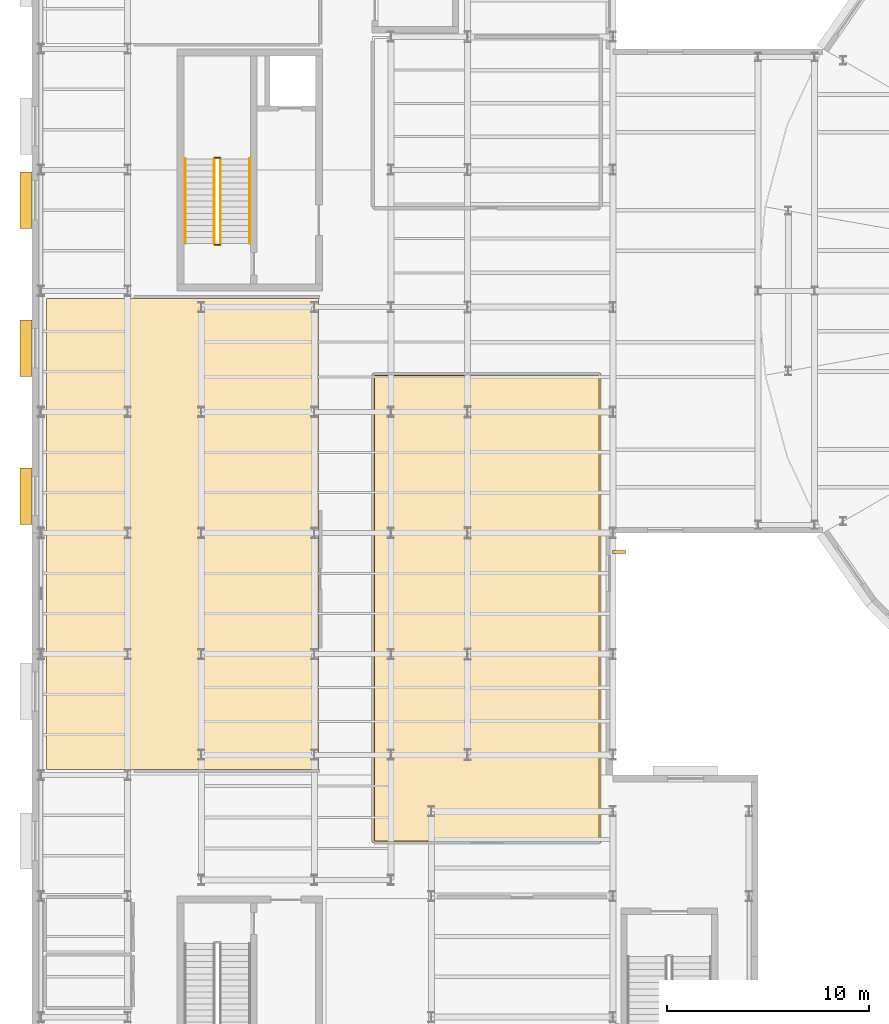
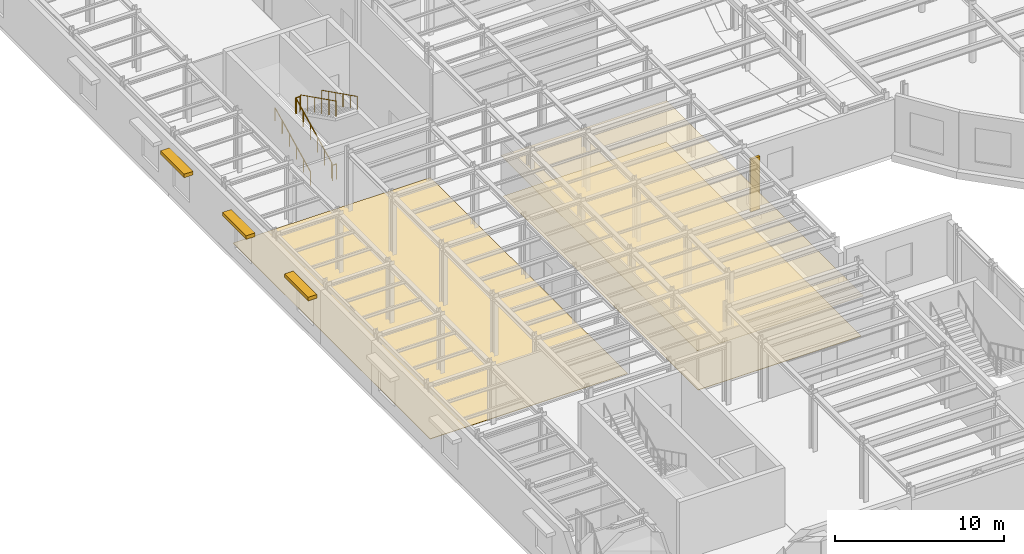
# One storey, part 76 of 91: 6 railings, 4 shading devices, 3 coverings, 1 element without a shape of its own.
"""IFC4 building model written with IfcOpenShell, lengths in metres."""

from ifc_helpers import new_model, si_unit, direction, frame, origin, origin_2d, place, context, subcontext, project, spatial, polyline, rectangle, circle, outline, extrude, material, layer, layer_set, type_object, element, aggregate, save


model = new_model("IFC4")

# Units and contexts
model_context = context("Model", 3, precision=1e-05, world=origin(), true_north=direction((0.0, 1.0)))
body_context = subcontext(model_context, "Body", "Model", "MODEL_VIEW")
ifc_project = project(units=[si_unit("LENGTHUNIT", "METRE"), si_unit("AREAUNIT", "SQUARE_METRE"), si_unit("VOLUMEUNIT", "CUBIC_METRE"), si_unit("PLANEANGLEUNIT", "RADIAN"), si_unit("MASSUNIT", "GRAM", prefix="KILO")], contexts=[model_context])

# Site, building, storey
site_placement = place(None, origin())
site = spatial("IfcSite", under=ifc_project, at=site_placement, CompositionType="ELEMENT")
building_placement = place(site_placement, origin())
building = spatial("IfcBuilding", under=site, at=building_placement, Name="Kolvaren Corner Interchange", CompositionType="ELEMENT")
storey_placement = place(building_placement, frame((0.0, 0.0, 6.0)))
storey = spatial("IfcBuildingStorey", under=building, at=storey_placement, Name="L02", CompositionType="ELEMENT", Elevation=6.0)

# Coverings
ifc_material_1 = material(Name="Moisture-Resistant Perforated Gypsum Ceiling")
ifc_layer_1 = layer(ifc_material_1, 0.028076171875)
ifc_layer_set_1 = layer_set([ifc_layer_1], Name="Moisture-Resistant Perforated Gypsum Ceiling")
covering_type_1 = type_object("IfcCoveringType", Name="COV-CEIL-GYP28", PredefinedType="CEILING", material=ifc_layer_set_1)
covering_1_placement = place(storey_placement, frame((0.0, 0.0, 2.922119140625)))
element("IfcCovering", 1, at=covering_1_placement, inside=storey, type_object=covering_type_1, Name="L02 Staff Canteen and Dining Hall Suspended Ceiling", PredefinedType="CEILING", context=body_context, shape_type="SweptSolid", body=[
    extrude(outline(polyline([(16.8798828125, 20.64990234375), (28.217529296875, 20.640625), (28.20947265625, 43.91748046875), (16.88232421875, 43.909423828125), (16.8798828125, 20.64990234375)])), origin(), (0.0, 0.0, 1.0), 0.02783203125),
])
ifc_material_2 = material(Name="Polished Niger Delta Granite Terrazzo Flooring", Category="masonry")
ifc_layer_2 = layer(ifc_material_2, 0.030029296875)
ifc_layer_set_2 = layer_set([ifc_layer_2], Name="Polished Niger Delta Granite Terrazzo Flooring")
covering_type_2 = type_object("IfcCoveringType", Name="COV-FLR-TER30", PredefinedType="FLOORING", material=ifc_layer_set_2)
covering_2_placement = place(storey_placement, origin())
element("IfcCovering", 2, at=covering_2_placement, inside=storey, type_object=covering_type_2, Name="L02 Staff Canteen and Dining Hall Floor Finish", PredefinedType="FLOORING", context=body_context, shape_type="SweptSolid", body=[
    extrude(outline(polyline([(16.97998046875, 20.72998046875), (28.1201171875, 20.72998046875), (28.1201171875, 43.820068359375), (16.97998046875, 43.820068359375), (16.97998046875, 20.72998046875)])), origin(), (0.0, 0.0, 1.0), 0.030029296875),
])
covering_3_placement = place(storey_placement, origin())
element("IfcCovering", 3, at=covering_3_placement, inside=storey, type_object=covering_type_2, Name="L02 Driver Quiet Rest Suites Floor Finish", PredefinedType="FLOORING", context=body_context, shape_type="SweptSolid", body=[
    extrude(outline(polyline([(0.72998046875, 24.280029296875), (14.219970703125, 24.280029296875), (14.219970703125, 47.6201171875), (0.72998046875, 47.6201171875), (0.72998046875, 24.280029296875)])), origin(), (0.0, 0.0, 1.0), 0.030029296875),
])

# Railing
ifc_material_3 = material(Name="Powder-Coated Steel Stairwell Guardrail", Category="steel")
railing_type_1 = type_object("IfcRailingType", Name="RLT-STAIR-GRD1120", PredefinedType="GUARDRAIL", material=ifc_material_3)
railing_1_placement = place(storey_placement, frame((9.06005859375, 50.2900390625, 0.0)))
element("IfcRailing", 4, at=railing_1_placement, inside=storey, type_object=railing_type_1, Name="Core C2 Northwest Firefighting Stair L02 Landing Edge Guardrail", PredefinedType="GUARDRAIL", context=body_context, shape_type="SweptSolid", body=[
    extrude(circle(Radius=0.02392578125, at=origin_2d()), frame((0.0, 0.0, 1.09619140625), z_axis=(1.0, 0.0, 0.0), x_axis=(0.0, 1.0, 0.0)), (0.0, 0.0, 1.0), 0.280029296875),
    extrude(circle(Radius=0.02001953125, at=origin_2d()), origin(), (0.0, 0.0, 1.0), 1.072021484375),
    extrude(circle(Radius=0.02001953125, at=origin_2d()), frame((0.280029296875, 0.0, 0.0)), (0.0, 0.0, 1.0), 1.072021484375),
])

# Stair, railings
ifc_material_4 = material(Name="Concrete C35/45", Category="concrete")
stair_type = type_object("IfcStairType", Name="ST-FF-1550", PredefinedType="HALF_TURN_STAIR", material=ifc_material_4)
stair_placement = place(storey_placement, origin())
stair = element("IfcStair", 5, at=stair_placement, inside=storey, type_object=stair_type, Name="Core C2 Northwest Firefighting Stair L02 to L03 Stair", PredefinedType="HALF_TURN_STAIR")
railing_2_placement = place(storey_placement, frame((9.050048828125, 50.35009765625, 0.14990234375)))
railing_2 = element("IfcRailing", 6, at=railing_2_placement, type_object=railing_type_1, Name="Core C2 Northwest Firefighting Stair L02 Lower Flight Well Guardrail", PredefinedType="GUARDRAIL", context=body_context, shape_type="SweptSolid", body=[
    extrude(circle(Radius=0.02392578125, at=origin_2d()), frame((0.0, 0.0, 1.09619140625), z_axis=(0.0, 0.894416792377, 0.447234392142), x_axis=(-1.0, 0.0, 0.0)), (0.0, 0.0, 1.0), 4.69580078125),
    extrude(circle(Radius=0.02001953125, at=origin_2d()), origin(), (0.0, 0.0, 1.0), 1.072021484375),
    extrude(circle(Radius=0.02001953125, at=origin_2d()), frame((0.0, 0.840087890625, 0.419921875)), (0.0, 0.0, 1.0), 1.072021484375),
    extrude(circle(Radius=0.02001953125, at=origin_2d()), frame((0.0, 1.679931640625, 0.840087890625)), (0.0, 0.0, 1.0), 1.072021484375),
    extrude(circle(Radius=0.02001953125, at=origin_2d()), frame((0.0, 2.52001953125, 1.260009765625)), (0.0, 0.0, 1.0), 1.072021484375),
    extrude(circle(Radius=0.02001953125, at=origin_2d()), frame((0.0, 3.35986328125, 1.68017578125)), (0.0, 0.0, 1.0), 1.072021484375),
    extrude(circle(Radius=0.02001953125, at=origin_2d()), frame((0.0, 4.199951171875, 2.10009765625)), (0.0, 0.0, 1.0), 1.072021484375),
])
railing_3_placement = place(storey_placement, frame((9.06005859375, 54.610107421875, 2.25)))
railing_3 = element("IfcRailing", 7, at=railing_3_placement, type_object=railing_type_1, Name="Core C2 Northwest Firefighting Stair L02 Half Landing Well Guardrail", PredefinedType="GUARDRAIL", context=body_context, shape_type="SweptSolid", body=[
    extrude(circle(Radius=0.02392578125, at=origin_2d()), frame((0.0, 0.0, 1.09619140625), z_axis=(1.0, 0.0, 0.0), x_axis=(0.0, 1.0, 0.0)), (0.0, 0.0, 1.0), 0.280029296875),
    extrude(circle(Radius=0.02001953125, at=origin_2d()), origin(), (0.0, 0.0, 1.0), 1.072021484375),
    extrude(circle(Radius=0.02001953125, at=origin_2d()), frame((0.280029296875, 0.0, 0.0)), (0.0, 0.0, 1.0), 1.072021484375),
])
railing_4_placement = place(storey_placement, frame((9.35009765625, 54.550048828125, 2.39990234375)))
railing_4 = element("IfcRailing", 8, at=railing_4_placement, type_object=railing_type_1, Name="Core C2 Northwest Firefighting Stair L02 Upper Flight Well Guardrail", PredefinedType="GUARDRAIL", context=body_context, shape_type="SweptSolid", body=[
    extrude(circle(Radius=0.02392578125, at=origin_2d()), frame((0.0, 0.0, 1.09619140625), z_axis=(0.0, -0.894416792377, 0.447234392142), x_axis=(1.0, 0.0, 0.0)), (0.0, 0.0, 1.0), 4.69580078125),
    extrude(circle(Radius=0.02001953125, at=origin_2d()), origin(), (0.0, 0.0, 1.0), 1.072021484375),
    extrude(circle(Radius=0.02001953125, at=origin_2d()), frame((0.0, -0.840087890625, 0.419921875)), (0.0, 0.0, 1.0), 1.072021484375),
    extrude(circle(Radius=0.02001953125, at=origin_2d()), frame((0.0, -1.679931640625, 0.840087890625)), (0.0, 0.0, 1.0), 1.072021484375),
    extrude(circle(Radius=0.02001953125, at=origin_2d()), frame((0.0, -2.52001953125, 1.260009765625)), (0.0, 0.0, 1.0), 1.072021484375),
    extrude(circle(Radius=0.02001953125, at=origin_2d()), frame((0.0, -3.35986328125, 1.68017578125)), (0.0, 0.0, 1.0), 1.072021484375),
    extrude(circle(Radius=0.02001953125, at=origin_2d()), frame((0.0, -4.199951171875, 2.10009765625)), (0.0, 0.0, 1.0), 1.072021484375),
])
ifc_material_5 = material(Name="Brushed Stainless Steel Stair Handrail", Category="steel")
railing_type_2 = type_object("IfcRailingType", Name="RLT-STAIR-HR950", PredefinedType="HANDRAIL", material=ifc_material_5)
railing_5_placement = place(storey_placement, frame((7.610107421875, 50.35009765625, 0.14990234375)))
railing_5 = element("IfcRailing", 9, at=railing_5_placement, type_object=railing_type_2, Name="Core C2 Northwest Firefighting Stair L02 Lower Flight Wall Handrail", PredefinedType="HANDRAIL", context=body_context, shape_type="SweptSolid", body=[
    extrude(circle(Radius=0.02197265625, at=origin_2d()), frame((0.0, 0.0, 0.927978515625), z_axis=(0.0, 0.894416792377, 0.447234392142), x_axis=(-1.0, 0.0, 0.0)), (0.0, 0.0, 1.0), 4.69580078125),
    extrude(circle(Radius=0.01806640625, at=origin_2d()), origin(), (0.0, 0.0, 1.0), 0.906005859375),
    extrude(circle(Radius=0.01806640625, at=origin_2d()), frame((0.0, 0.840087890625, 0.419921875)), (0.0, 0.0, 1.0), 0.906005859375),
    extrude(circle(Radius=0.01806640625, at=origin_2d()), frame((0.0, 1.679931640625, 0.840087890625)), (0.0, 0.0, 1.0), 0.906005859375),
    extrude(circle(Radius=0.01806640625, at=origin_2d()), frame((0.0, 2.52001953125, 1.260009765625)), (0.0, 0.0, 1.0), 0.906005859375),
    extrude(circle(Radius=0.01806640625, at=origin_2d()), frame((0.0, 3.35986328125, 1.68017578125)), (0.0, 0.0, 1.0), 0.906005859375),
    extrude(circle(Radius=0.01806640625, at=origin_2d()), frame((0.0, 4.199951171875, 2.10009765625)), (0.0, 0.0, 1.0), 0.906005859375),
])
railing_6_placement = place(storey_placement, frame((10.7900390625, 54.550048828125, 2.39990234375)))
railing_6 = element("IfcRailing", 10, at=railing_6_placement, type_object=railing_type_2, Name="Core C2 Northwest Firefighting Stair L02 Upper Flight Wall Handrail", PredefinedType="HANDRAIL", context=body_context, shape_type="SweptSolid", body=[
    extrude(circle(Radius=0.02197265625, at=origin_2d()), frame((0.0, 0.0, 0.927978515625), z_axis=(0.0, -0.894416792377, 0.447234392142), x_axis=(1.0, 0.0, 0.0)), (0.0, 0.0, 1.0), 4.69580078125),
    extrude(circle(Radius=0.01806640625, at=origin_2d()), origin(), (0.0, 0.0, 1.0), 0.906005859375),
    extrude(circle(Radius=0.01806640625, at=origin_2d()), frame((0.0, -0.840087890625, 0.419921875)), (0.0, 0.0, 1.0), 0.906005859375),
    extrude(circle(Radius=0.01806640625, at=origin_2d()), frame((0.0, -1.679931640625, 0.840087890625)), (0.0, 0.0, 1.0), 0.906005859375),
    extrude(circle(Radius=0.01806640625, at=origin_2d()), frame((0.0, -2.52001953125, 1.260009765625)), (0.0, 0.0, 1.0), 0.906005859375),
    extrude(circle(Radius=0.01806640625, at=origin_2d()), frame((0.0, -3.35986328125, 1.68017578125)), (0.0, 0.0, 1.0), 0.906005859375),
    extrude(circle(Radius=0.01806640625, at=origin_2d()), frame((0.0, -4.199951171875, 2.10009765625)), (0.0, 0.0, 1.0), 0.906005859375),
])
aggregate(stair, [railing_2, railing_3, railing_4, railing_5, railing_6])

# Shading devices
ifc_material_6 = material(Name="Cream Ceramic Baguette Brise-Soleil")
shading_device_type_1 = type_object("IfcShadingDeviceType", Name="SHD-BAG-H600", PredefinedType="JALOUSIE", material=ifc_material_6)
for number, where, z_axis, x_axis, name in (
    (11, (-0.2900390625, 52.497802734375, 3.080078125), (0.0, 0.0, 1.0), (0.0, -1.0, 0.0), "L02 Ceramic Solar Shading 0050"),
    (12, (-0.2900390625, 45.165283203125, 3.080078125), (0.0, 0.0, 1.0), (0.0, -1.0, 0.0), "L02 Ceramic Solar Shading 0051"),
    (13, (-0.2900390625, 37.8330078125, 3.080078125), (0.0, 0.0, 1.0), (0.0, -1.0, 0.0), "L02 Ceramic Solar Shading 0052"),
):
    element("IfcShadingDevice", number, at=place(storey_placement, frame(where, z_axis=z_axis, x_axis=x_axis)), inside=storey, type_object=shading_device_type_1, Name=name, PredefinedType="JALOUSIE", context=body_context, shape_type="SweptSolid", body=[
        extrude(rectangle(XDim=2.800048828125, YDim=0.60009765625, at=origin_2d()), origin(), (0.0, 0.0, 1.0), 0.260009765625),
    ])
ifc_material_7 = material(Name="Deep Monsoon Terracotta Solar Fin", Category="masonry")
shading_device_type_2 = type_object("IfcShadingDeviceType", Name="SHD-FIN-V650", PredefinedType="USERDEFINED", material=ifc_material_7)
shading_device_placement = place(storey_placement, frame((29.114990234375, 35.06005859375, 0.09521484375), z_axis=(0.0, 0.0, 1.0), x_axis=(0.0, 1.0, 0.0)))
element("IfcShadingDevice", 14, at=shading_device_placement, inside=storey, type_object=shading_device_type_2, Name="L02 Ceramic Solar Shading 0036", ObjectType="SUNSHADE", PredefinedType="USERDEFINED", context=body_context, shape_type="SweptSolid", body=[
    extrude(rectangle(XDim=0.159912109375, YDim=0.64990234375, at=origin_2d()), origin(), (0.0, 0.0, 1.0), 3.800048828125),
])

save(model, "model.ifc")
